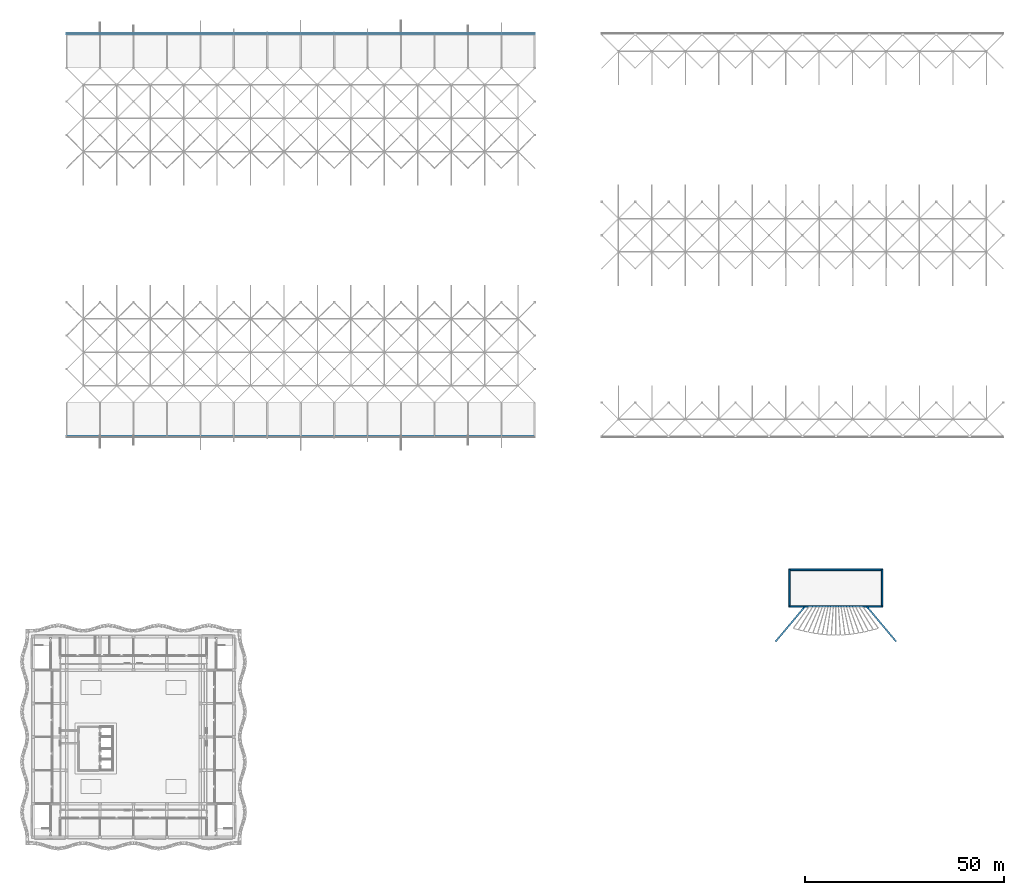
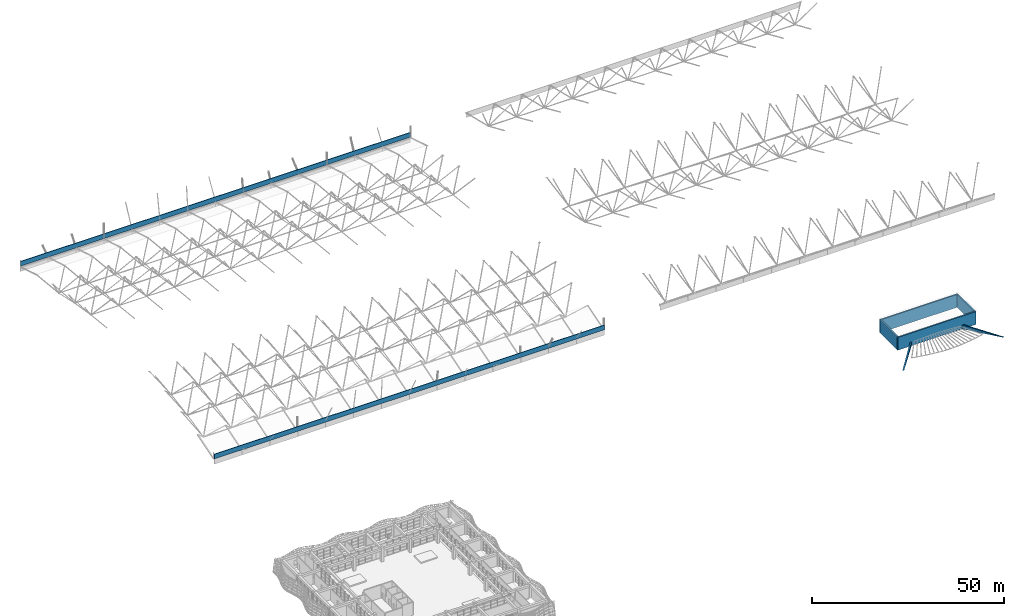
# One storey, part 43 of 85: 8 walls.
"""IFC4 building model written with IfcOpenShell, lengths in metres."""

from ifc_helpers import new_model, si_unit, direction, frame, frame_2d, origin, place, context, subcontext, project, spatial, polyline, rectangle, outline, extrude, material, layer, layer_set, type_object, element, save


model = new_model("IFC4")

# Units and contexts
model_context = context("Model", 3, precision=1e-05, world=origin(), true_north=direction((0.0, 1.0)))
body_context = subcontext(model_context, "Body", "Model", "MODEL_VIEW")
ifc_project = project(units=[si_unit("LENGTHUNIT", "METRE"), si_unit("AREAUNIT", "SQUARE_METRE"), si_unit("VOLUMEUNIT", "CUBIC_METRE"), si_unit("PLANEANGLEUNIT", "RADIAN"), si_unit("MASSUNIT", "GRAM", prefix="KILO")], contexts=[model_context])

# Site, building, storey
site_placement = place(None, origin())
site = spatial("IfcSite", under=ifc_project, at=site_placement, CompositionType="ELEMENT")
building_placement = place(site_placement, origin())
building = spatial("IfcBuilding", under=site, at=building_placement, Name="Rain Tree Exposition and Congress Centre", CompositionType="ELEMENT")
storey_placement = place(building_placement, frame((0.0, 0.0, 15.0)))
storey = spatial("IfcBuildingStorey", under=building, at=storey_placement, Name="L03", CompositionType="ELEMENT", Elevation=15.0)

# Walls
ifc_material_1 = material(Name="Concrete C40/50", Category="concrete")
ifc_layer_1 = layer(ifc_material_1, 0.39990234375)
ifc_layer_set_1 = layer_set([ifc_layer_1], Name="Concrete C40/50")
wall_type_1 = type_object("IfcWallType", Name="Acoustic wall 400", PredefinedType="SHEAR", material=ifc_layer_set_1)
for number, where, z_axis, x_axis, name in (
    (1, (193.886474609375, 58.007568359375, 0.0), (0.0, 0.0, 1.0), (-0.642786686923, -0.766045217409, 0.0), "Gable wall W L03"),
    (2, (209.3134765625, 58.007568359375, 0.0), (0.0, 0.0, 1.0), (0.642786686923, -0.766045217409, 0.0), "Gable wall E L03"),
):
    element("IfcWall", number, at=place(storey_placement, frame(where, z_axis=z_axis, x_axis=x_axis)), inside=storey, type_object=wall_type_1, Name=name, PredefinedType="SHEAR", context=body_context, shape_type="SweptSolid", body=[
        extrude(outline(polyline([(0.0, 0.0), (11.555419921875, 0.0), (11.5556640625, 0.0), (0.0, 1.300048828125), (0.0, 0.0)])), frame((0.0, 0.199951171875, 0.0), z_axis=(0.0, -1.0, 0.0), x_axis=(1.0, 0.0, 0.0)), (0.0, 0.0, 1.0), 0.39990234375),
    ])
wall_1_placement = place(storey_placement, frame((189.800048828125, 58.010009765625, 0.0), z_axis=(0.0, 0.0, 1.0), x_axis=(1.0, 0.0, 0.0)))
element("IfcWall", 3, at=wall_1_placement, inside=storey, type_object=wall_type_1, Name="Stage wall", PredefinedType="SHEAR", context=body_context, shape_type="SweptSolid", body=[
    extrude(rectangle(XDim=23.599853515625, YDim=0.39990234375, at=frame_2d((11.7998046875, 0.0))), origin(), (0.0, 0.0, 1.0), 4.10009765625),
])
for number, where, z_axis, x_axis, name in (
    (4, (190.0, 67.199951171875, 0.0), (0.0, 0.0, 1.0), (0.0, -1.0, 0.0), "Stage house west wall"),
    (5, (213.199951171875, 58.2099609375, 0.0), (0.0, 0.0, 1.0), (0.0, 1.0, 0.0), "Stage house east wall"),
):
    element("IfcWall", number, at=place(storey_placement, frame(where, z_axis=z_axis, x_axis=x_axis)), inside=storey, type_object=wall_type_1, Name=name, PredefinedType="SHEAR", context=body_context, shape_type="SweptSolid", body=[
        extrude(rectangle(XDim=8.989990234375, YDim=0.39990234375, at=frame_2d((4.4951171875, 0.0))), origin(), (0.0, 0.0, 1.0), 4.10009765625),
    ])
wall_2_placement = place(storey_placement, frame((213.39990234375, 67.199951171875, 0.0), z_axis=(0.0, 0.0, 1.0), x_axis=(-1.0, 0.0, 0.0)))
element("IfcWall", 6, at=wall_2_placement, inside=storey, type_object=wall_type_1, Name="Stage house north wall", PredefinedType="SHEAR", context=body_context, shape_type="SweptSolid", body=[
    extrude(rectangle(XDim=23.599853515625, YDim=0.39990234375, at=frame_2d((11.7998046875, 0.0))), origin(), (0.0, 0.0, 1.0), 4.10009765625),
])
ifc_material_2 = material(Name="Perforated terracotta rainscreen", Category="masonry")
ifc_layer_2 = layer(ifc_material_2, 0.199951171875)
ifc_layer_set_2 = layer_set([ifc_layer_2], Name="Perforated terracotta rainscreen")
wall_type_2 = type_object("IfcWallType", Name="Roof-edge terracotta screen wall 200", PredefinedType="STANDARD", material=ifc_layer_set_2)
for number, where, z_axis, x_axis, name in (
    (7, (8.39990234375, 100.56494140625, 3.0), (0.0, 0.0, 1.0), (1.0, 0.0, 0.0), "Roof-edge screen wall S1"),
    (8, (8.39990234375, 201.8349609375, 3.0), (0.0, 0.0, 1.0), (1.0, 0.0, 0.0), "Roof-edge screen wall N1"),
):
    element("IfcWall", number, at=place(storey_placement, frame(where, z_axis=z_axis, x_axis=x_axis)), inside=storey, type_object=wall_type_2, Name=name, PredefinedType="STANDARD", context=body_context, shape_type="SweptSolid", body=[
        extrude(rectangle(XDim=117.60009765625, YDim=0.199951171875, at=frame_2d((58.800048828125, 0.0))), origin(), (0.0, 0.0, 1.0), 1.5),
    ])

save(model, "model.ifc")
